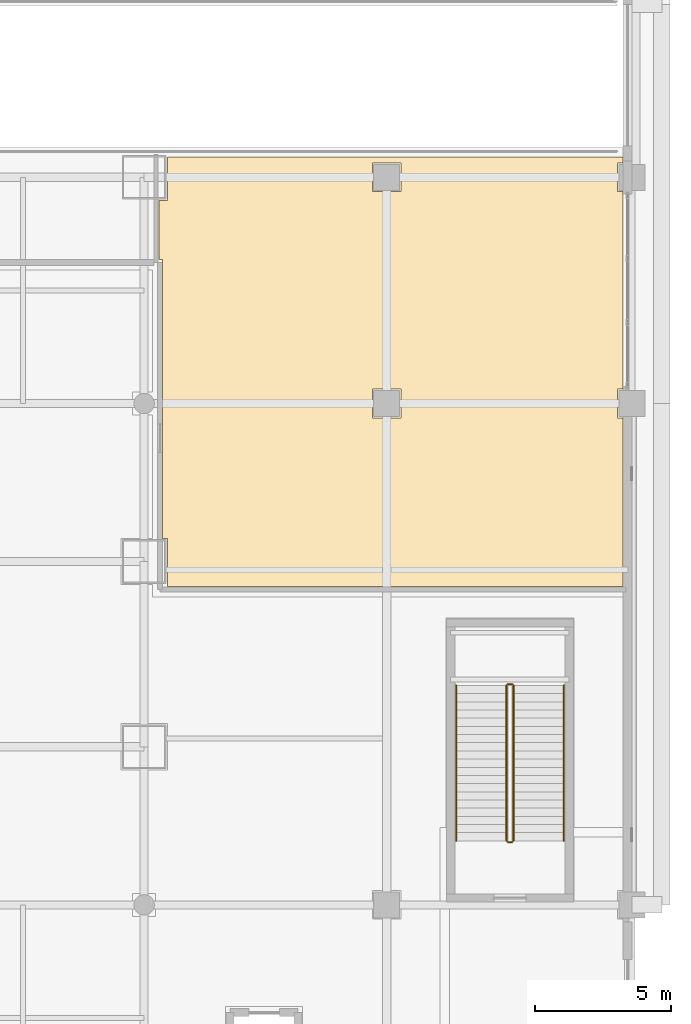
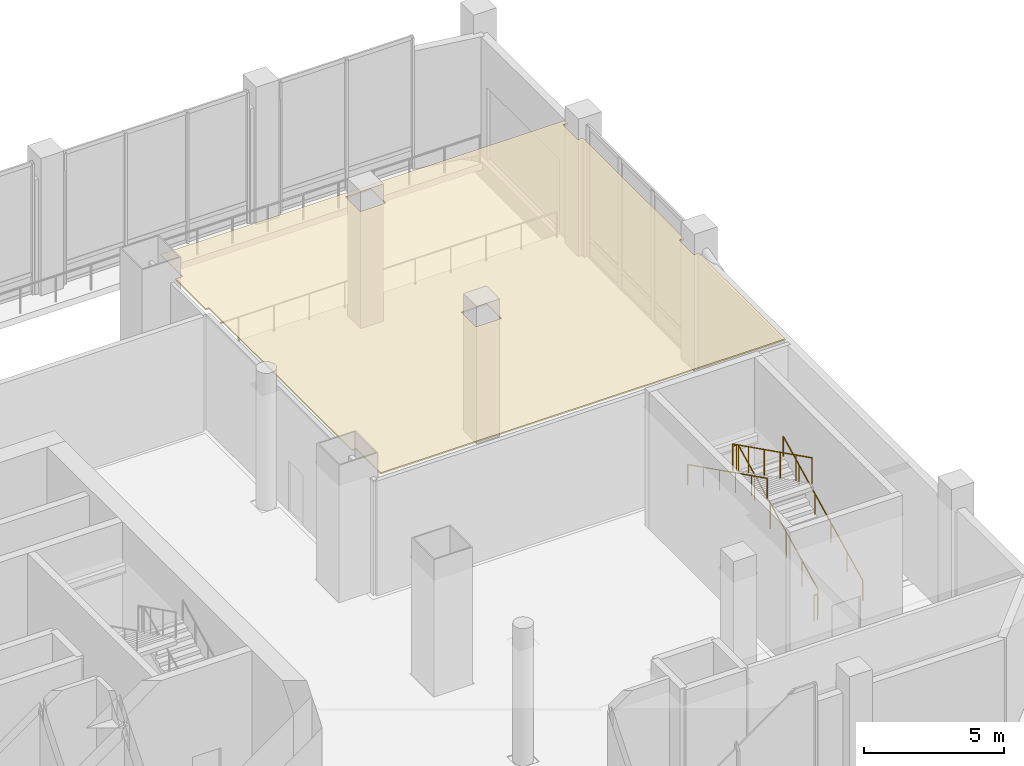
# One storey, part 31 of 32: 6 railings, 1 covering.
"""IFC4 building model written with IfcOpenShell, lengths in metres."""

import ifcopenshell
import ifcopenshell.guid

model = None  # the IFC model being written
_history = None  # IfcOwnerHistory: only IFC2X3 demands one
_inside = {}  # id of a spatial element -> (the spatial element, [elements in it])
_under = {}  # id of a project, library or spatial element -> (it, [spatial elements below it])
_declared = {}  # id of a project -> (the project, [libraries it declares])
_typed = {}  # id of a type object -> (the type object, [elements of that type])
_made_of = {}  # id of a material, layer set ... -> (it, [elements and type objects made of it])


def new_model(schema):
    """Start an empty IFC model of exactly this schema.

    Asked for "IFC4X3", IfcOpenShell would pick the latest addendum, in which some entities
    have other attributes; the version numbers below select the first issue.
    IFC2X3 requires an IfcOwnerHistory on every rooted entity: one is made here for all.
    """
    global model, _history
    if schema == "IFC4X3":
        model = ifcopenshell.file(schema_version=(4, 3, 0, 0))
    else:
        model = ifcopenshell.file(schema=schema)
    _inside.clear()
    _under.clear()
    _declared.clear()
    _typed.clear()
    _made_of.clear()
    _history = None
    if model.schema == "IFC2X3":
        org = make("IfcOrganization", Name="unknown")
        user = make(
            "IfcPersonAndOrganization",
            ThePerson=make("IfcPerson", FamilyName="unknown"),
            TheOrganization=org,
        )
        app = make(
            "IfcApplication",
            ApplicationDeveloper=org,
            Version="unknown",
            ApplicationFullName="unknown",
            ApplicationIdentifier="unknown",
        )
        _history = make(
            "IfcOwnerHistory",
            OwningUser=user,
            OwningApplication=app,
            ChangeAction="ADDED",
            CreationDate=0,
        )
    return model


def make(cls, **values):
    """One entity of the class cls with the attributes given. An attribute that is None is left unset."""
    return model.create_entity(
        cls, **{name: value for name, value in values.items() if value is not None}
    )


def rooted(cls, **values):
    """An entity with a GlobalId (a new one), such as an element, a storey or a relation."""
    return make(cls, GlobalId=ifcopenshell.guid.new(), OwnerHistory=_history, **values)


def si_unit(unit_type, name, prefix=None):
    """IfcSIUnit, for example si_unit("LENGTHUNIT", "METRE", prefix="MILLI")."""
    return make("IfcSIUnit", UnitType=unit_type, Prefix=prefix, Name=name)


def assignment(units):
    """IfcUnitAssignment: the units of a project."""
    return None if units is None else make("IfcUnitAssignment", Units=units)


def point(xyz):
    """IfcCartesianPoint."""
    return None if xyz is None else make("IfcCartesianPoint", Coordinates=xyz)


def direction(xyz):
    """IfcDirection."""
    return None if xyz is None else make("IfcDirection", DirectionRatios=xyz)


def frame(location, z_axis=None, x_axis=None):
    """IfcAxis2Placement3D, a coordinate frame: its origin and axes. An axis left out is left unset."""
    return make(
        "IfcAxis2Placement3D",
        Location=point(location),
        Axis=direction(z_axis),
        RefDirection=direction(x_axis),
    )


def frame_2d(location, x_axis=None):
    """IfcAxis2Placement2D, a coordinate frame in the plane: its origin and x axis."""
    return make(
        "IfcAxis2Placement2D", Location=point(location), RefDirection=direction(x_axis)
    )


def origin():
    """The frame at (0, 0, 0) with its axes left unset."""
    return frame((0.0, 0.0, 0.0))


def origin_2d():
    """The frame at (0, 0) in the plane with its x axis left unset."""
    return frame_2d((0.0, 0.0))


def place(relative_to, where):
    """IfcLocalPlacement: puts the frame where relative to a parent placement (None: the world)."""
    return make(
        "IfcLocalPlacement", PlacementRelTo=relative_to, RelativePlacement=where
    )


def context(
    kind, dimensions, precision=None, world=None, true_north=None, identifier=None
):
    """IfcGeometricRepresentationContext, for example the 3D "Model" context."""
    return make(
        "IfcGeometricRepresentationContext",
        ContextIdentifier=identifier,
        ContextType=kind,
        CoordinateSpaceDimension=dimensions,
        Precision=precision,
        WorldCoordinateSystem=world,
        TrueNorth=true_north,
    )


def subcontext(parent, identifier, kind, view, scale=None):
    """IfcGeometricRepresentationSubContext, for example "Body" below "Model"."""
    return make(
        "IfcGeometricRepresentationSubContext",
        ContextIdentifier=identifier,
        ContextType=kind,
        ParentContext=parent,
        TargetScale=scale,
        TargetView=view,
    )


def project(units=None, contexts=None):
    """IfcProject with its units and contexts."""
    return rooted(
        "IfcProject",
        Name="project",
        RepresentationContexts=contexts,
        UnitsInContext=assignment(units),
    )


def spatial(cls, under=None, at=None, **own):
    """A site, building, storey or space (cls), placed at a placement, below another one or the project."""
    s = rooted(cls, ObjectPlacement=at, **own)
    if under is not None:
        _under.setdefault(under.id(), (under, []))[1].append(s)
    return s


def polyline(points):
    """IfcPolyline through the points."""
    return make("IfcPolyline", Points=[point(p) for p in points])


def profile(cls, at=None, kind="AREA", **sizes):
    """A parametric profile (cls). Its sizes go by their IFC names, for example OverallWidth=200.0."""
    return make(cls, ProfileType=kind, Position=at, **sizes)


def circle(**sizes):
    """IfcCircleProfileDef."""
    return profile("IfcCircleProfileDef", **sizes)


def outline(outer, holes=None, kind="AREA"):
    """IfcArbitraryClosedProfileDef: a profile drawn as a closed curve; with holes, ...WithVoids."""
    if holes is None:
        return make("IfcArbitraryClosedProfileDef", ProfileType=kind, OuterCurve=outer)
    return make(
        "IfcArbitraryProfileDefWithVoids",
        ProfileType=kind,
        OuterCurve=outer,
        InnerCurves=holes,
    )


def extrude(swept, where, along, depth):
    """IfcExtrudedAreaSolid: the profile swept, set in the frame where, extruded along a direction by depth."""
    return make(
        "IfcExtrudedAreaSolid",
        SweptArea=swept,
        Position=where,
        ExtrudedDirection=direction(along),
        Depth=depth,
    )


def shape(context_of_items, identifier, shape_type, items):
    """IfcShapeRepresentation: the items that make up one representation, for example the "Body"."""
    return make(
        "IfcShapeRepresentation",
        ContextOfItems=context_of_items,
        RepresentationIdentifier=identifier,
        RepresentationType=shape_type,
        Items=items,
    )


def material(Name=None, Category=None):
    """IfcMaterial."""
    return make("IfcMaterial", Name=Name, Category=Category)


def layer(
    of_material, thickness, ventilated=None, Name=None, Category=None, Priority=None
):
    """IfcMaterialLayer: one layer of a wall or slab, of a material (None: an air gap)."""
    return make(
        "IfcMaterialLayer",
        Material=of_material,
        LayerThickness=thickness,
        IsVentilated=ventilated,
        Name=Name,
        Category=Category,
        Priority=Priority,
    )


def layer_set(layers, Name=None):
    """IfcMaterialLayerSet."""
    return make("IfcMaterialLayerSet", MaterialLayers=layers, LayerSetName=Name)


def made_of(thing, what):
    """Note that an element or type object is made of a material, layer set ...; save() writes the relation."""
    if what is not None:
        _made_of.setdefault(what.id(), (what, []))[1].append(thing)
    return thing


def type_object(cls, material=None, **own):
    """A type object (cls), such as IfcWallType, which elements share."""
    return made_of(rooted(cls, **own), material)


def element(
    cls,
    number,
    at=None,
    inside=None,
    cuts=None,
    type_object=None,
    material=None,
    context=None,
    identifier="Body",
    shape_type=None,
    held_by="IfcProductDefinitionShape",
    body=None,
    shapes=None,
    **own,
):
    """One element of the class cls, such as IfcWall. Its Tag is "e" and its number.

    at: its placement. inside: the storey or other place that contains it. cuts: it is an
    opening in that element (IfcRelVoidsElement). A single representation is given by context,
    identifier, shape_type and body (its items); several are given by shapes. held_by: the class
    of the entity that holds the representations. save() writes the other relations.
    """
    e = rooted(cls, Tag="e%d" % number, ObjectPlacement=at, **own)
    if body is not None:
        shapes = [shape(context, identifier, shape_type, body)]
    if shapes is not None:
        e.Representation = make(held_by, Representations=shapes)
    if inside is not None:
        _inside.setdefault(inside.id(), (inside, []))[1].append(e)
    if cuts is not None:
        rooted(
            "IfcRelVoidsElement", RelatingBuildingElement=cuts, RelatedOpeningElement=e
        )
    if type_object is not None:
        _typed.setdefault(type_object.id(), (type_object, []))[1].append(e)
    return made_of(e, material)


def aggregate(whole, parts):
    """IfcRelAggregates: a whole, such as a stair, and the parts it consists of."""
    return rooted("IfcRelAggregates", RelatingObject=whole, RelatedObjects=parts)


def save(model, path):
    """Write the relations noted so far, then the file.

    IfcRelAggregates (storeys below a building ...), IfcRelContainedInSpatialStructure (elements
    in a storey), IfcRelDefinesByType, IfcRelAssociatesMaterial and IfcRelDeclares: one each for
    every whole, place, type object, material and project.
    """
    for whole, parts in _under.values():
        aggregate(whole, parts)
    for where, things in _inside.values():
        rooted(
            "IfcRelContainedInSpatialStructure",
            RelatedElements=things,
            RelatingStructure=where,
        )
    for kind, things in _typed.values():
        rooted("IfcRelDefinesByType", RelatedObjects=things, RelatingType=kind)
    for what, things in _made_of.values():
        rooted("IfcRelAssociatesMaterial", RelatedObjects=things, RelatingMaterial=what)
    for by, libraries in _declared.values():
        rooted("IfcRelDeclares", RelatingContext=by, RelatedDefinitions=libraries)
    model.write(path)


model = new_model("IFC4")

# Units and contexts
model_context = context("Model", 3, precision=1e-05, world=origin(), true_north=direction((0.0, 1.0)))
body_context = subcontext(model_context, "Body", "Model", "MODEL_VIEW")
ifc_project = project(units=[si_unit("LENGTHUNIT", "METRE"), si_unit("AREAUNIT", "SQUARE_METRE"), si_unit("VOLUMEUNIT", "CUBIC_METRE"), si_unit("PLANEANGLEUNIT", "RADIAN"), si_unit("MASSUNIT", "GRAM", prefix="KILO")], contexts=[model_context])

# Site, building, storey
site_placement = place(None, origin())
site = spatial("IfcSite", under=ifc_project, at=site_placement, CompositionType="ELEMENT")
building_placement = place(site_placement, origin())
building = spatial("IfcBuilding", under=site, at=building_placement, Name="Punatoya Terracotta Tower", CompositionType="ELEMENT")
storey_placement = place(building_placement, origin())
storey = spatial("IfcBuildingStorey", under=building, at=storey_placement, Name="L00", CompositionType="ELEMENT", Elevation=0.0)

# Covering
ifc_material_1 = material(Name="Acoustic Mineral Fibre Ceiling")
ifc_layer = layer(ifc_material_1, 0.06005859375)
ifc_layer_set = layer_set([ifc_layer], Name="Acoustic Mineral Fibre Ceiling")
covering_type = type_object("IfcCoveringType", Name="COV-CEIL-60", PredefinedType="CEILING", material=ifc_layer_set)
covering_placement = place(storey_placement, frame((0.0, 0.0, 5.110107421875)))
element("IfcCovering", 1, at=covering_placement, inside=storey, type_object=covering_type, Name="L00 Executive Arrival and Security Screening Suite Acoustic Ceiling", PredefinedType="CEILING", context=body_context, shape_type="SweptSolid", body=[
    extrude(outline(polyline([(19.949951171875, 2.47998046875), (36.679931640625, 2.47998046875), (36.679931640625, 8.675048828125), (36.47509765625, 8.675048828125), (36.47509765625, 9.72509765625), (36.679931640625, 9.72509765625), (36.679931640625, 16.97509765625), (36.47509765625, 16.97509765625), (36.47509765625, 18.02490234375), (36.679931640625, 18.02490234375), (36.679931640625, 18.239990234375), (19.949951171875, 18.239990234375), (19.949951171875, 16.64990234375), (19.639892578125, 16.64990234375), (19.639892578125, 14.47998046875), (19.780029296875, 14.47998046875), (19.780029296875, 4.25), (19.949951171875, 4.25), (19.949951171875, 2.47998046875)]), holes=[polyline([(28.52490234375, 8.675048828125), (27.47509765625, 8.675048828125), (27.47509765625, 9.72509765625), (28.52490234375, 9.72509765625), (28.52490234375, 8.675048828125)]), polyline([(28.52490234375, 18.02490234375), (28.52490234375, 16.97509765625), (27.47509765625, 16.97509765625), (27.47509765625, 18.02490234375), (28.52490234375, 18.02490234375)])]), origin(), (0.0, 0.0, 1.0), 0.059814453125),
])

# Railings
ifc_material_2 = material(Name="Steel S355", Category="steel")
railing_type_1 = type_object("IfcRailingType", Name="RLG-GRD-1150", PredefinedType="GUARDRAIL", material=ifc_material_2)
railing_1_placement = place(storey_placement, frame((32.64990234375, -6.85009765625, 0.14990234375)))
element("IfcRailing", 2, at=railing_1_placement, inside=storey, type_object=railing_type_1, Name="L00 ST-P2 stair guard 1", PredefinedType="GUARDRAIL", context=body_context, shape_type="SweptSolid", body=[
    extrude(circle(Radius=0.02392578125, at=origin_2d()), frame((0.0, 0.0, 1.1259765625), z_axis=(0.0, 0.894427191, 0.4472135955), x_axis=(-1.0, 0.0, 0.0)), (0.0, 0.0, 1.0), 6.373046875),
    extrude(circle(Radius=0.02099609375, at=origin_2d()), origin(), (0.0, 0.0, 1.0), 1.101806640625),
    extrude(circle(Radius=0.02099609375, at=origin_2d()), frame((0.0, 1.14013671875, 0.570068359375)), (0.0, 0.0, 1.0), 1.101806640625),
    extrude(circle(Radius=0.02099609375, at=origin_2d()), frame((0.0, 2.280029296875, 1.14013671875)), (0.0, 0.0, 1.0), 1.101806640625),
    extrude(circle(Radius=0.02099609375, at=origin_2d()), frame((0.0, 3.420166015625, 1.7099609375)), (0.0, 0.0, 1.0), 1.101806640625),
    extrude(circle(Radius=0.02099609375, at=origin_2d()), frame((0.0, 4.56005859375, 2.280029296875)), (0.0, 0.0, 1.0), 1.101806640625),
    extrude(circle(Radius=0.02099609375, at=origin_2d()), frame((0.0, 5.7001953125, 2.85009765625)), (0.0, 0.0, 1.0), 1.101806640625),
])
railing_2_placement = place(storey_placement, frame((32.60009765625, -1.10009765625, 3.0)))
element("IfcRailing", 3, at=railing_2_placement, inside=storey, type_object=railing_type_1, Name="L00 ST-P2 stair guard 2", PredefinedType="GUARDRAIL", context=body_context, shape_type="SweptSolid", body=[
    extrude(circle(Radius=0.02392578125, at=origin_2d()), frame((0.0, 0.0, 1.1259765625), z_axis=(-1.0, 0.0, 0.0), x_axis=(0.0, -1.0, 0.0)), (0.0, 0.0, 1.0), 0.150146484375),
    extrude(circle(Radius=0.02099609375, at=origin_2d()), origin(), (0.0, 0.0, 1.0), 1.101806640625),
    extrude(circle(Radius=0.02099609375, at=origin_2d()), frame((-0.150146484375, 0.0, 0.0)), (0.0, 0.0, 1.0), 1.101806640625),
])
railing_3_placement = place(storey_placement, frame((32.39990234375, -1.14990234375, 3.14990234375)))
element("IfcRailing", 4, at=railing_3_placement, inside=storey, type_object=railing_type_1, Name="L00 ST-P2 stair guard 3", PredefinedType="GUARDRAIL", context=body_context, shape_type="SweptSolid", body=[
    extrude(circle(Radius=0.02392578125, at=origin_2d()), frame((0.0, 0.0, 1.1259765625), z_axis=(0.0, -0.894427191, 0.4472135955), x_axis=(1.0, 0.0, 0.0)), (0.0, 0.0, 1.0), 6.373046875),
    extrude(circle(Radius=0.02099609375, at=origin_2d()), origin(), (0.0, 0.0, 1.0), 1.101806640625),
    extrude(circle(Radius=0.02099609375, at=origin_2d()), frame((0.0, -1.14013671875, 0.570068359375)), (0.0, 0.0, 1.0), 1.101806640625),
    extrude(circle(Radius=0.02099609375, at=origin_2d()), frame((0.0, -2.280029296875, 1.14013671875)), (0.0, 0.0, 1.0), 1.101806640625),
    extrude(circle(Radius=0.02099609375, at=origin_2d()), frame((0.0, -3.420166015625, 1.7099609375)), (0.0, 0.0, 1.0), 1.101806640625),
    extrude(circle(Radius=0.02099609375, at=origin_2d()), frame((0.0, -4.56005859375, 2.280029296875)), (0.0, 0.0, 1.0), 1.101806640625),
    extrude(circle(Radius=0.02099609375, at=origin_2d()), frame((0.0, -5.7001953125, 2.85009765625)), (0.0, 0.0, 1.0), 1.101806640625),
])
railing_4_placement = place(storey_placement, frame((32.60009765625, -6.89990234375, 0.0)))
element("IfcRailing", 5, at=railing_4_placement, inside=storey, type_object=railing_type_1, Name="L00 ST-P2 stair guard 4", PredefinedType="GUARDRAIL", context=body_context, shape_type="SweptSolid", body=[
    extrude(circle(Radius=0.02392578125, at=origin_2d()), frame((0.0, 0.0, 1.1259765625), z_axis=(-1.0, 0.0, 0.0), x_axis=(0.0, -1.0, 0.0)), (0.0, 0.0, 1.0), 0.150146484375),
    extrude(circle(Radius=0.02099609375, at=origin_2d()), origin(), (0.0, 0.0, 1.0), 1.101806640625),
    extrude(circle(Radius=0.02099609375, at=origin_2d()), frame((-0.150146484375, 0.0, 0.0)), (0.0, 0.0, 1.0), 1.101806640625),
])
railing_type_2 = type_object("IfcRailingType", Name="RLG-HND-900", PredefinedType="HANDRAIL", material=ifc_material_2)
railing_5_placement = place(storey_placement, frame((34.5, -6.85009765625, 0.14990234375)))
element("IfcRailing", 6, at=railing_5_placement, inside=storey, type_object=railing_type_2, Name="L00 ST-P2 stair handrail 1", PredefinedType="HANDRAIL", context=body_context, shape_type="SweptSolid", body=[
    extrude(circle(Radius=0.02392578125, at=origin_2d()), frame((0.0, 0.0, 0.8759765625), z_axis=(0.0, 0.894427191, 0.4472135955), x_axis=(-1.0, 0.0, 0.0)), (0.0, 0.0, 1.0), 6.373046875),
    extrude(circle(Radius=0.02099609375, at=origin_2d()), origin(), (0.0, 0.0, 1.0), 0.851806640625),
    extrude(circle(Radius=0.02099609375, at=origin_2d()), frame((0.0, 1.14013671875, 0.570068359375)), (0.0, 0.0, 1.0), 0.851806640625),
    extrude(circle(Radius=0.02099609375, at=origin_2d()), frame((0.0, 2.280029296875, 1.14013671875)), (0.0, 0.0, 1.0), 0.851806640625),
    extrude(circle(Radius=0.02099609375, at=origin_2d()), frame((0.0, 3.420166015625, 1.7099609375)), (0.0, 0.0, 1.0), 0.851806640625),
    extrude(circle(Radius=0.02099609375, at=origin_2d()), frame((0.0, 4.56005859375, 2.280029296875)), (0.0, 0.0, 1.0), 0.851806640625),
    extrude(circle(Radius=0.02099609375, at=origin_2d()), frame((0.0, 5.7001953125, 2.85009765625)), (0.0, 0.0, 1.0), 0.851806640625),
])
railing_6_placement = place(storey_placement, frame((30.550048828125, -1.14990234375, 3.14990234375)))
element("IfcRailing", 7, at=railing_6_placement, inside=storey, type_object=railing_type_2, Name="L00 ST-P2 stair handrail 2", PredefinedType="HANDRAIL", context=body_context, shape_type="SweptSolid", body=[
    extrude(circle(Radius=0.02392578125, at=origin_2d()), frame((0.0, 0.0, 0.8759765625), z_axis=(0.0, -0.894427191, 0.4472135955), x_axis=(1.0, 0.0, 0.0)), (0.0, 0.0, 1.0), 6.373046875),
    extrude(circle(Radius=0.02099609375, at=origin_2d()), origin(), (0.0, 0.0, 1.0), 0.851806640625),
    extrude(circle(Radius=0.02099609375, at=origin_2d()), frame((0.0, -1.14013671875, 0.570068359375)), (0.0, 0.0, 1.0), 0.851806640625),
    extrude(circle(Radius=0.02099609375, at=origin_2d()), frame((0.0, -2.280029296875, 1.14013671875)), (0.0, 0.0, 1.0), 0.851806640625),
    extrude(circle(Radius=0.02099609375, at=origin_2d()), frame((0.0, -3.420166015625, 1.7099609375)), (0.0, 0.0, 1.0), 0.851806640625),
    extrude(circle(Radius=0.02099609375, at=origin_2d()), frame((0.0, -4.56005859375, 2.280029296875)), (0.0, 0.0, 1.0), 0.851806640625),
    extrude(circle(Radius=0.02099609375, at=origin_2d()), frame((0.0, -5.7001953125, 2.85009765625)), (0.0, 0.0, 1.0), 0.851806640625),
])

save(model, "model.ifc")
